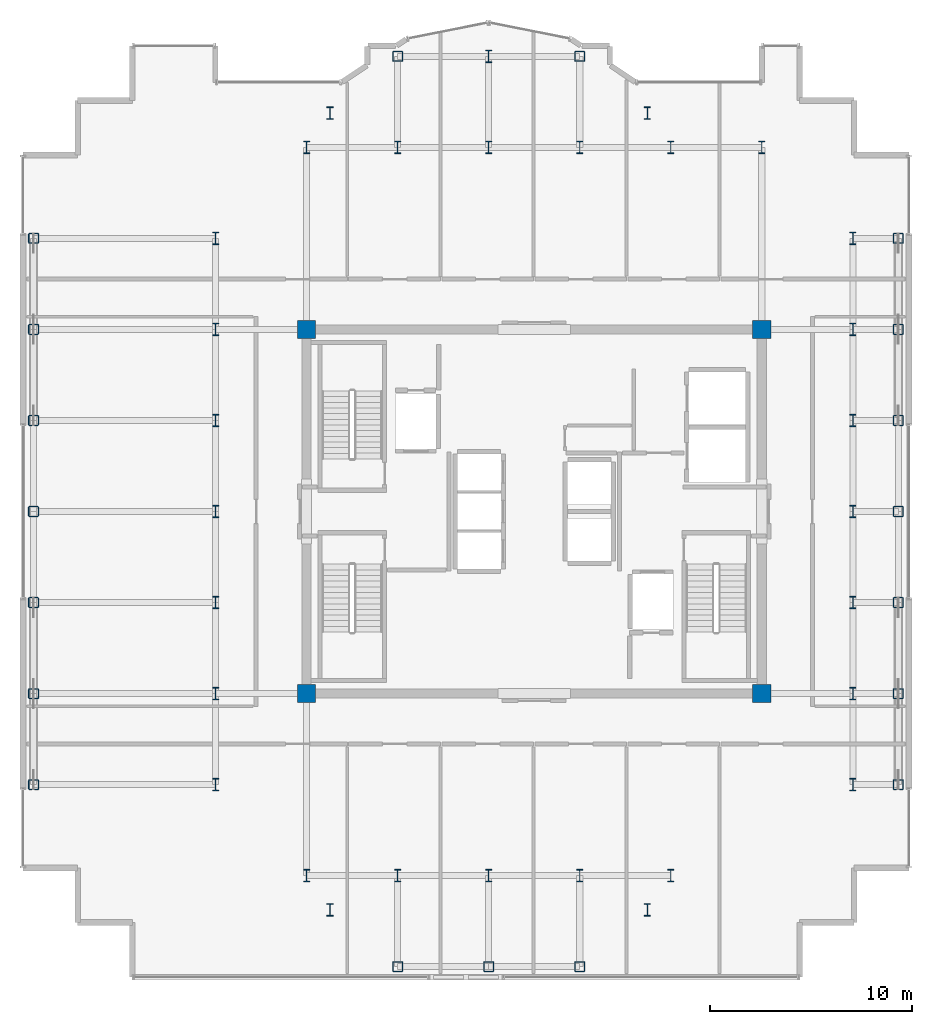
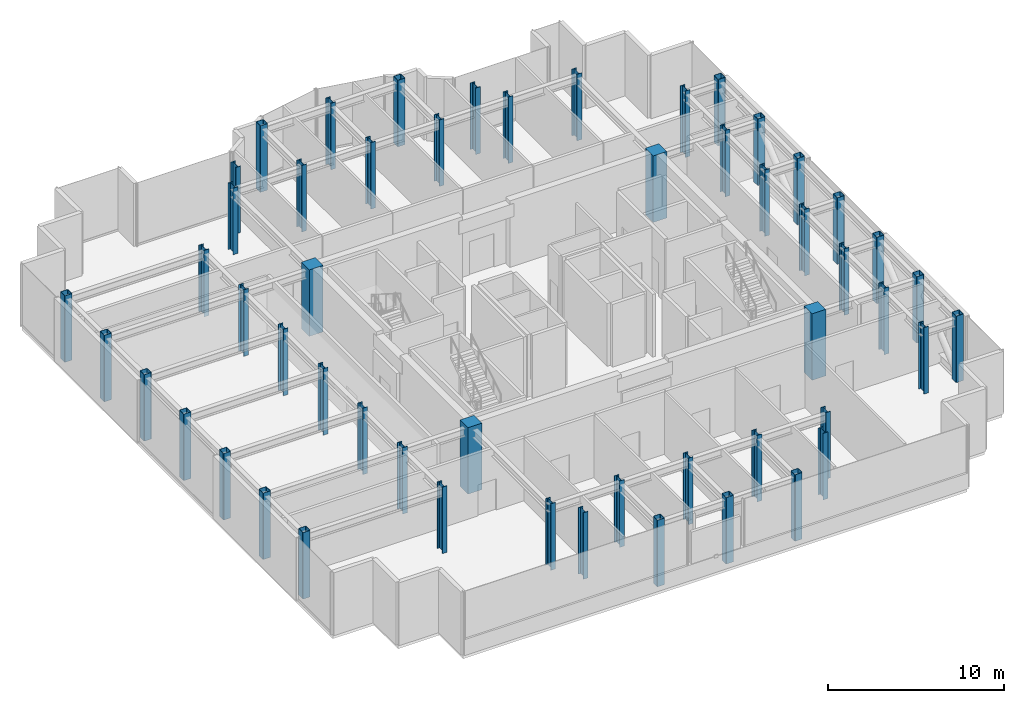
# One storey, part 1 of 18: 53 columns.
"""IFC4 building model written with IfcOpenShell, lengths in metres."""

from ifc_helpers import new_model, si_unit, direction, frame, origin, origin_2d, place, context, subcontext, project, spatial, rectangle, hollow_rectangle, i_section, extrude, source, transform, mapped, material, material_profile, profile_set, type_object, element, save


model = new_model("IFC4")

# Units and contexts
model_context = context("Model", 3, precision=1e-05, world=origin(), true_north=direction((0.0, 1.0)))
body_context = subcontext(model_context, "Body", "Model", "MODEL_VIEW")
ifc_project = project(units=[si_unit("LENGTHUNIT", "METRE"), si_unit("AREAUNIT", "SQUARE_METRE"), si_unit("VOLUMEUNIT", "CUBIC_METRE"), si_unit("PLANEANGLEUNIT", "RADIAN"), si_unit("MASSUNIT", "GRAM", prefix="KILO")], contexts=[model_context])

# Site, building, storey
site_placement = place(None, origin())
site = spatial("IfcSite", under=ifc_project, at=site_placement, CompositionType="ELEMENT")
building_placement = place(site_placement, origin())
building = spatial("IfcBuilding", under=site, at=building_placement, Name="Nefas-Gora Pilgrimage Tower", CompositionType="ELEMENT")
storey_placement = place(building_placement, frame((0.0, 0.0, 317.800048828125)))
storey = spatial("IfcBuildingStorey", under=building, at=storey_placement, Name="L80", CompositionType="ELEMENT", Elevation=317.800048828125)

# Columns
ifc_material_1 = material(Name="Steel S355", Category="steel")
ifc_material_profile_1 = material_profile(ifc_material_1, hollow_rectangle(XDim=0.5, YDim=0.5, WallThickness=0.02490234375, InnerFilletRadius=0.02490234375, OuterFilletRadius=0.050048828125, at=origin_2d()), Name="SHS 500x500x25")
ifc_profile_set_1 = profile_set([ifc_material_profile_1], Name="Steel S355")
column_type_1 = type_object("IfcColumnType", Name="COL-TUBE-500", PredefinedType="COLUMN", material=ifc_profile_set_1)
shared_shape_1 = source(origin(), body_context, "Body", "SweptSolid", [
    extrude(hollow_rectangle(XDim=0.5, YDim=0.5, WallThickness=0.02490234375, InnerFilletRadius=0.02490234375, OuterFilletRadius=0.050048828125, at=origin_2d()), origin(), (0.0, 0.0, 1.0), 4.599853515625),
])
for number, where, z_axis, x_axis, name in (
    (1, (-24.75, -13.5, 0.0), (0.0, 0.0, 1.0), (1.0, 0.0, 0.0), "L80 Tower Column C-Z4.1"),
    (2, (-24.75, -9.0, 0.0), (0.0, 0.0, 1.0), (1.0, 0.0, 0.0), "L80 Tower Column C-Z4.2"),
    (3, (-24.75, -4.5, 0.0), (0.0, 0.0, 1.0), (1.0, 0.0, 0.0), "L80 Tower Column C-Z4.3"),
    (4, (-24.75, 0.0, 0.0), (0.0, 0.0, 1.0), (1.0, 0.0, 0.0), "L80 Tower Column C-Z4.4"),
    (5, (-24.75, 4.5, 0.0), (0.0, 0.0, 1.0), (1.0, 0.0, 0.0), "L80 Tower Column C-Z4.5"),
    (6, (-24.75, 9.0, 0.0), (0.0, 0.0, 1.0), (1.0, 0.0, 0.0), "L80 Tower Column C-Z4.6"),
    (7, (-24.75, 13.5, 0.0), (0.0, 0.0, 1.0), (1.0, 0.0, 0.0), "L80 Tower Column C-Z4.7"),
    (8, (-6.75, -22.5, 0.0), (0.0, 0.0, 1.0), (1.0, 0.0, 0.0), "L80 Tower Column C-Z4.21"),
    (9, (-6.75, 22.5, 0.0), (0.0, 0.0, 1.0), (1.0, 0.0, 0.0), "L80 Tower Column C-Z4.24"),
    (10, (-2.25, -22.5, 0.0), (0.0, 0.0, 1.0), (1.0, 0.0, 0.0), "L80 Tower Column C-Z4.25"),
    (11, (2.25, -22.5, 0.0), (0.0, 0.0, 1.0), (1.0, 0.0, 0.0), "L80 Tower Column C-Z4.29"),
    (12, (2.25, 22.5, 0.0), (0.0, 0.0, 1.0), (1.0, 0.0, 0.0), "L80 Tower Column C-Z4.32"),
    (13, (18.0, -13.5, 0.0), (0.0, 0.0, 1.0), (1.0, 0.0, 0.0), "L80 Tower Column C-Z4.47"),
    (14, (18.0, -9.0, 0.0), (0.0, 0.0, 1.0), (1.0, 0.0, 0.0), "L80 Tower Column C-Z4.48"),
    (15, (18.0, -4.5, 0.0), (0.0, 0.0, 1.0), (1.0, 0.0, 0.0), "L80 Tower Column C-Z4.49"),
    (16, (18.0, 0.0, 0.0), (0.0, 0.0, 1.0), (1.0, 0.0, 0.0), "L80 Tower Column C-Z4.50"),
    (17, (18.0, 4.5, 0.0), (0.0, 0.0, 1.0), (1.0, 0.0, 0.0), "L80 Tower Column C-Z4.51"),
    (18, (18.0, 9.0, 0.0), (0.0, 0.0, 1.0), (1.0, 0.0, 0.0), "L80 Tower Column C-Z4.52"),
    (19, (18.0, 13.5, 0.0), (0.0, 0.0, 1.0), (1.0, 0.0, 0.0), "L80 Tower Column C-Z4.53"),
):
    element("IfcColumn", number, at=place(storey_placement, frame(where, z_axis=z_axis, x_axis=x_axis)), inside=storey, type_object=column_type_1, Name=name, PredefinedType="COLUMN", context=body_context, shape_type="MappedRepresentation", body=[
        mapped(shared_shape_1, transform((0.0, 0.0, 0.0), x_axis=(1.0, 0.0, 0.0), y_axis=(0.0, 1.0, 0.0), z_axis=(0.0, 0.0, 1.0), scale=1.0)),
    ])
ifc_material_profile_2 = material_profile(ifc_material_1, i_section(OverallWidth=0.304931640625, OverallDepth=0.6201171875, WebThickness=0.02099609375, FlangeThickness=0.0400390625, FilletRadius=0.027099609375, at=origin_2d()), Name="HEM 600")
ifc_profile_set_2 = profile_set([ifc_material_profile_2], Name="Steel S355")
column_type_2 = type_object("IfcColumnType", Name="COL-WEB-HEM600", PredefinedType="COLUMN", material=ifc_profile_set_2)
shared_shape_2 = source(origin(), body_context, "Body", "SweptSolid", [
    extrude(i_section(OverallWidth=0.304931640625, OverallDepth=0.6201171875, WebThickness=0.02099609375, FlangeThickness=0.0400390625, FilletRadius=0.027099609375, at=origin_2d()), origin(), (0.0, 0.0, 1.0), 4.599853515625),
])
for number, where, z_axis, x_axis, name in (
    (20, (-15.75, -13.5, 0.0), (0.0, 0.0, 1.0), (1.0, 0.0, 0.0), "L80 Tower Column CW-03.8"),
    (21, (-15.75, -9.0, 0.0), (0.0, 0.0, 1.0), (1.0, 0.0, 0.0), "L80 Tower Column CW-03.9"),
    (22, (-15.75, -4.5, 0.0), (0.0, 0.0, 1.0), (1.0, 0.0, 0.0), "L80 Tower Column CW-03.10"),
    (23, (-15.75, 0.0, 0.0), (0.0, 0.0, 1.0), (1.0, 0.0, 0.0), "L80 Tower Column CW-03.11"),
    (24, (-15.75, 4.5, 0.0), (0.0, 0.0, 1.0), (1.0, 0.0, 0.0), "L80 Tower Column CW-03.12"),
    (25, (-15.75, 9.0, 0.0), (0.0, 0.0, 1.0), (1.0, 0.0, 0.0), "L80 Tower Column CW-03.13"),
    (26, (-15.75, 13.5, 0.0), (0.0, 0.0, 1.0), (1.0, 0.0, 0.0), "L80 Tower Column CW-03.14"),
    (27, (-11.25, -18.0, 0.0), (0.0, 0.0, 1.0), (1.0, 0.0, 0.0), "L80 Tower Column CW-03.15"),
    (28, (-11.25, 18.0, 0.0), (0.0, 0.0, 1.0), (1.0, 0.0, 0.0), "L80 Tower Column CW-03.18"),
    (29, (-10.091064453125, -19.696044921875, 0.0), (0.0, 0.0, 1.0), (1.0, 0.0, 0.0), "L80 Tower Column CW-03.19"),
    (30, (-10.091064453125, 19.696044921875, 0.0), (0.0, 0.0, 1.0), (1.0, 0.0, 0.0), "L80 Tower Column CW-03.20"),
    (31, (-6.75, -18.0, 0.0), (0.0, 0.0, 1.0), (1.0, 0.0, 0.0), "L80 Tower Column CW-03.22"),
    (32, (-6.75, 18.0, 0.0), (0.0, 0.0, 1.0), (1.0, 0.0, 0.0), "L80 Tower Column CW-03.23"),
    (33, (-2.25, -18.0, 0.0), (0.0, 0.0, 1.0), (1.0, 0.0, 0.0), "L80 Tower Column CW-03.26"),
    (34, (-2.25, 18.0, 0.0), (0.0, 0.0, 1.0), (1.0, 0.0, 0.0), "L80 Tower Column CW-03.27"),
    (35, (-2.25, 22.5, 0.0), (0.0, 0.0, 1.0), (1.0, 0.0, 0.0), "L80 Tower Column CW-03.28"),
    (36, (2.25, -18.0, 0.0), (0.0, 0.0, 1.0), (1.0, 0.0, 0.0), "L80 Tower Column CW-03.30"),
    (37, (2.25, 18.0, 0.0), (0.0, 0.0, 1.0), (1.0, 0.0, 0.0), "L80 Tower Column CW-03.31"),
    (38, (5.591064453125, -19.696044921875, 0.0), (0.0, 0.0, 1.0), (1.0, 0.0, 0.0), "L80 Tower Column CW-03.33"),
    (39, (5.591064453125, 19.696044921875, 0.0), (0.0, 0.0, 1.0), (1.0, 0.0, 0.0), "L80 Tower Column CW-03.34"),
    (40, (6.75, -18.0, 0.0), (0.0, 0.0, 1.0), (1.0, 0.0, 0.0), "L80 Tower Column CW-03.35"),
    (41, (6.75, 18.0, 0.0), (0.0, 0.0, 1.0), (1.0, 0.0, 0.0), "L80 Tower Column CW-03.36"),
    (42, (11.25, 18.0, 0.0), (0.0, 0.0, 1.0), (1.0, 0.0, 0.0), "L80 Tower Column CW-03.39"),
    (43, (15.75, -13.5, 0.0), (0.0, 0.0, 1.0), (1.0, 0.0, 0.0), "L80 Tower Column CW-03.40"),
    (44, (15.75, -9.0, 0.0), (0.0, 0.0, 1.0), (1.0, 0.0, 0.0), "L80 Tower Column CW-03.41"),
    (45, (15.75, -4.5, 0.0), (0.0, 0.0, 1.0), (1.0, 0.0, 0.0), "L80 Tower Column CW-03.42"),
    (46, (15.75, 0.0, 0.0), (0.0, 0.0, 1.0), (1.0, 0.0, 0.0), "L80 Tower Column CW-03.43"),
    (47, (15.75, 4.5, 0.0), (0.0, 0.0, 1.0), (1.0, 0.0, 0.0), "L80 Tower Column CW-03.44"),
    (48, (15.75, 9.0, 0.0), (0.0, 0.0, 1.0), (1.0, 0.0, 0.0), "L80 Tower Column CW-03.45"),
    (49, (15.75, 13.5, 0.0), (0.0, 0.0, 1.0), (1.0, 0.0, 0.0), "L80 Tower Column CW-03.46"),
):
    element("IfcColumn", number, at=place(storey_placement, frame(where, z_axis=z_axis, x_axis=x_axis)), inside=storey, type_object=column_type_2, Name=name, PredefinedType="COLUMN", context=body_context, shape_type="MappedRepresentation", body=[
        mapped(shared_shape_2, transform((0.0, 0.0, 0.0), x_axis=(1.0, 0.0, 0.0), y_axis=(0.0, 1.0, 0.0), z_axis=(0.0, 0.0, 1.0), scale=1.0)),
    ])
ifc_material_2 = material(Name="Concrete C50/60", Category="concrete")
ifc_material_profile_3 = material_profile(ifc_material_2, rectangle(XDim=0.89990234375, YDim=0.89990234375, at=origin_2d()), Name="RC 900x900")
ifc_profile_set_3 = profile_set([ifc_material_profile_3], Name="Concrete C50/60")
column_type_3 = type_object("IfcColumnType", Name="COL-RC-900", PredefinedType="COLUMN", material=ifc_profile_set_3)
shared_shape_3 = source(origin(), body_context, "Body", "SweptSolid", [
    extrude(rectangle(XDim=0.89990234375, YDim=0.89990234375, at=origin_2d()), origin(), (0.0, 0.0, 1.0), 4.599853515625),
])
for number, where, z_axis, x_axis, name in (
    (50, (-11.25, -9.0, 0.0), (0.0, 0.0, 1.0), (1.0, 0.0, 0.0), "L80 Tower Column CRC-02.16"),
    (51, (-11.25, 9.0, 0.0), (0.0, 0.0, 1.0), (1.0, 0.0, 0.0), "L80 Tower Column CRC-02.17"),
    (52, (11.25, -9.0, 0.0), (0.0, 0.0, 1.0), (1.0, 0.0, 0.0), "L80 Tower Column CRC-02.37"),
    (53, (11.25, 9.0, 0.0), (0.0, 0.0, 1.0), (1.0, 0.0, 0.0), "L80 Tower Column CRC-02.38"),
):
    element("IfcColumn", number, at=place(storey_placement, frame(where, z_axis=z_axis, x_axis=x_axis)), inside=storey, type_object=column_type_3, Name=name, PredefinedType="COLUMN", context=body_context, shape_type="MappedRepresentation", body=[
        mapped(shared_shape_3, transform((0.0, 0.0, 0.0), x_axis=(1.0, 0.0, 0.0), y_axis=(0.0, 1.0, 0.0), z_axis=(0.0, 0.0, 1.0), scale=1.0)),
    ])

save(model, "model.ifc")
